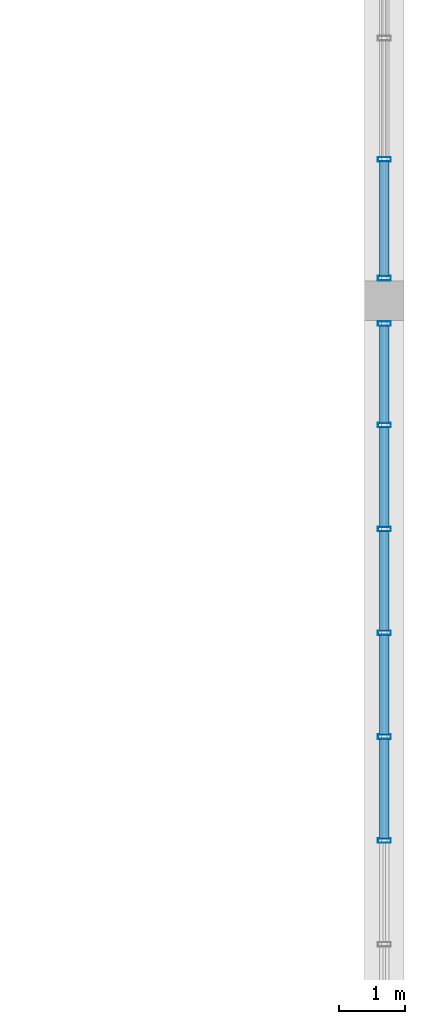
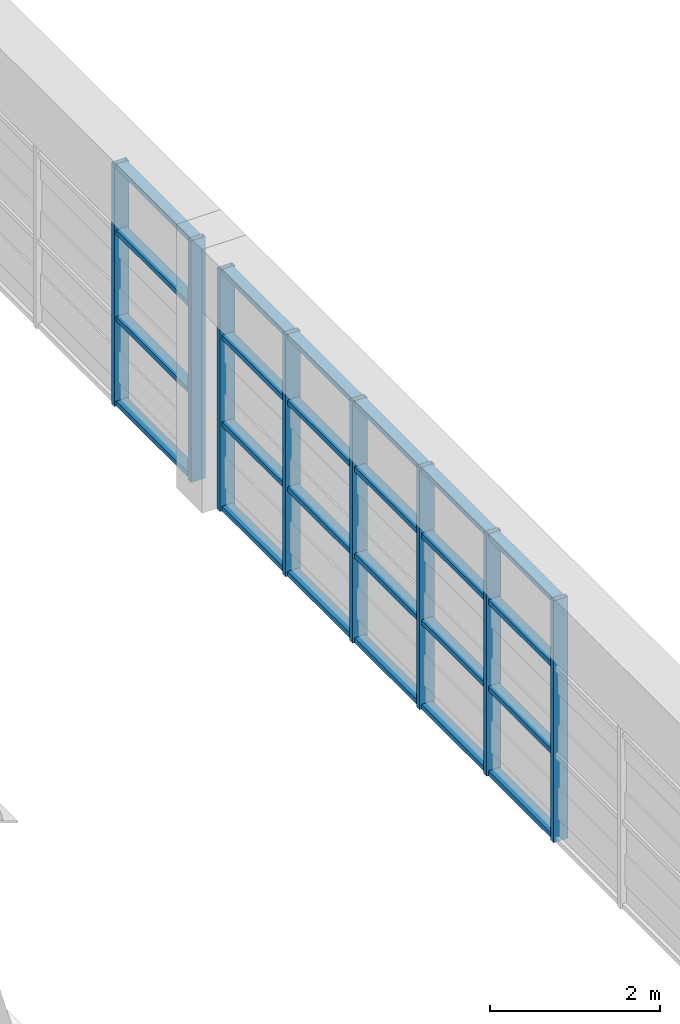
# One storey, part 16 of 27: 32 members, 2 elements without a shape of their own.
"""IFC4 building model written with IfcOpenShell, lengths in metres."""

import ifcopenshell
import ifcopenshell.guid

model = None  # the IFC model being written
_history = None  # IfcOwnerHistory: only IFC2X3 demands one
_inside = {}  # id of a spatial element -> (the spatial element, [elements in it])
_under = {}  # id of a project, library or spatial element -> (it, [spatial elements below it])
_declared = {}  # id of a project -> (the project, [libraries it declares])
_typed = {}  # id of a type object -> (the type object, [elements of that type])
_made_of = {}  # id of a material, layer set ... -> (it, [elements and type objects made of it])


def new_model(schema):
    """Start an empty IFC model of exactly this schema.

    Asked for "IFC4X3", IfcOpenShell would pick the latest addendum, in which some entities
    have other attributes; the version numbers below select the first issue.
    IFC2X3 requires an IfcOwnerHistory on every rooted entity: one is made here for all.
    """
    global model, _history
    if schema == "IFC4X3":
        model = ifcopenshell.file(schema_version=(4, 3, 0, 0))
    else:
        model = ifcopenshell.file(schema=schema)
    _inside.clear()
    _under.clear()
    _declared.clear()
    _typed.clear()
    _made_of.clear()
    _history = None
    if model.schema == "IFC2X3":
        org = make("IfcOrganization", Name="unknown")
        user = make(
            "IfcPersonAndOrganization",
            ThePerson=make("IfcPerson", FamilyName="unknown"),
            TheOrganization=org,
        )
        app = make(
            "IfcApplication",
            ApplicationDeveloper=org,
            Version="unknown",
            ApplicationFullName="unknown",
            ApplicationIdentifier="unknown",
        )
        _history = make(
            "IfcOwnerHistory",
            OwningUser=user,
            OwningApplication=app,
            ChangeAction="ADDED",
            CreationDate=0,
        )
    return model


def make(cls, **values):
    """One entity of the class cls with the attributes given. An attribute that is None is left unset."""
    return model.create_entity(
        cls, **{name: value for name, value in values.items() if value is not None}
    )


def rooted(cls, **values):
    """An entity with a GlobalId (a new one), such as an element, a storey or a relation."""
    return make(cls, GlobalId=ifcopenshell.guid.new(), OwnerHistory=_history, **values)


def si_unit(unit_type, name, prefix=None):
    """IfcSIUnit, for example si_unit("LENGTHUNIT", "METRE", prefix="MILLI")."""
    return make("IfcSIUnit", UnitType=unit_type, Prefix=prefix, Name=name)


def assignment(units):
    """IfcUnitAssignment: the units of a project."""
    return None if units is None else make("IfcUnitAssignment", Units=units)


def point(xyz):
    """IfcCartesianPoint."""
    return None if xyz is None else make("IfcCartesianPoint", Coordinates=xyz)


def direction(xyz):
    """IfcDirection."""
    return None if xyz is None else make("IfcDirection", DirectionRatios=xyz)


def frame(location, z_axis=None, x_axis=None):
    """IfcAxis2Placement3D, a coordinate frame: its origin and axes. An axis left out is left unset."""
    return make(
        "IfcAxis2Placement3D",
        Location=point(location),
        Axis=direction(z_axis),
        RefDirection=direction(x_axis),
    )


def frame_2d(location, x_axis=None):
    """IfcAxis2Placement2D, a coordinate frame in the plane: its origin and x axis."""
    return make(
        "IfcAxis2Placement2D", Location=point(location), RefDirection=direction(x_axis)
    )


def origin():
    """The frame at (0, 0, 0) with its axes left unset."""
    return frame((0.0, 0.0, 0.0))


def origin_2d():
    """The frame at (0, 0) in the plane with its x axis left unset."""
    return frame_2d((0.0, 0.0))


def place(relative_to, where):
    """IfcLocalPlacement: puts the frame where relative to a parent placement (None: the world)."""
    return make(
        "IfcLocalPlacement", PlacementRelTo=relative_to, RelativePlacement=where
    )


def context(
    kind, dimensions, precision=None, world=None, true_north=None, identifier=None
):
    """IfcGeometricRepresentationContext, for example the 3D "Model" context."""
    return make(
        "IfcGeometricRepresentationContext",
        ContextIdentifier=identifier,
        ContextType=kind,
        CoordinateSpaceDimension=dimensions,
        Precision=precision,
        WorldCoordinateSystem=world,
        TrueNorth=true_north,
    )


def subcontext(parent, identifier, kind, view, scale=None):
    """IfcGeometricRepresentationSubContext, for example "Body" below "Model"."""
    return make(
        "IfcGeometricRepresentationSubContext",
        ContextIdentifier=identifier,
        ContextType=kind,
        ParentContext=parent,
        TargetScale=scale,
        TargetView=view,
    )


def project(units=None, contexts=None):
    """IfcProject with its units and contexts."""
    return rooted(
        "IfcProject",
        Name="project",
        RepresentationContexts=contexts,
        UnitsInContext=assignment(units),
    )


def spatial(cls, under=None, at=None, **own):
    """A site, building, storey or space (cls), placed at a placement, below another one or the project."""
    s = rooted(cls, ObjectPlacement=at, **own)
    if under is not None:
        _under.setdefault(under.id(), (under, []))[1].append(s)
    return s


def profile(cls, at=None, kind="AREA", **sizes):
    """A parametric profile (cls). Its sizes go by their IFC names, for example OverallWidth=200.0."""
    return make(cls, ProfileType=kind, Position=at, **sizes)


def hollow_rectangle(**sizes):
    """IfcRectangleHollowProfileDef."""
    return profile("IfcRectangleHollowProfileDef", **sizes)


def extrude(swept, where, along, depth):
    """IfcExtrudedAreaSolid: the profile swept, set in the frame where, extruded along a direction by depth."""
    return make(
        "IfcExtrudedAreaSolid",
        SweptArea=swept,
        Position=where,
        ExtrudedDirection=direction(along),
        Depth=depth,
    )


def shape(context_of_items, identifier, shape_type, items):
    """IfcShapeRepresentation: the items that make up one representation, for example the "Body"."""
    return make(
        "IfcShapeRepresentation",
        ContextOfItems=context_of_items,
        RepresentationIdentifier=identifier,
        RepresentationType=shape_type,
        Items=items,
    )


def source(mapping_origin, context_of_items, identifier, shape_type, items):
    """IfcRepresentationMap: a shape defined once, which mapped items show again and again."""
    return make(
        "IfcRepresentationMap",
        MappingOrigin=mapping_origin,
        MappedRepresentation=shape(context_of_items, identifier, shape_type, items),
    )


def transform(
    local_origin,
    x_axis=None,
    y_axis=None,
    z_axis=None,
    scale=None,
    scale2=None,
    scale3=None,
    uniform=True,
):
    """IfcCartesianTransformationOperator3D, or its non-uniform kind. x_axis, y_axis, z_axis: its Axis1, 2, 3."""
    if uniform:
        return make(
            "IfcCartesianTransformationOperator3D",
            Axis1=direction(x_axis),
            Axis2=direction(y_axis),
            LocalOrigin=point(local_origin),
            Scale=scale,
            Axis3=direction(z_axis),
        )
    return make(
        "IfcCartesianTransformationOperator3DnonUniform",
        Axis1=direction(x_axis),
        Axis2=direction(y_axis),
        LocalOrigin=point(local_origin),
        Scale=scale,
        Axis3=direction(z_axis),
        Scale2=scale2,
        Scale3=scale3,
    )


def mapped(mapping_source, mapping_target):
    """IfcMappedItem: shows the shape of a source again, moved by a transform."""
    return make(
        "IfcMappedItem", MappingSource=mapping_source, MappingTarget=mapping_target
    )


def material(Name=None, Category=None):
    """IfcMaterial."""
    return make("IfcMaterial", Name=Name, Category=Category)


def layer(
    of_material, thickness, ventilated=None, Name=None, Category=None, Priority=None
):
    """IfcMaterialLayer: one layer of a wall or slab, of a material (None: an air gap)."""
    return make(
        "IfcMaterialLayer",
        Material=of_material,
        LayerThickness=thickness,
        IsVentilated=ventilated,
        Name=Name,
        Category=Category,
        Priority=Priority,
    )


def layer_set(layers, Name=None):
    """IfcMaterialLayerSet."""
    return make("IfcMaterialLayerSet", MaterialLayers=layers, LayerSetName=Name)


def material_profile(
    of_material, cross_section, Name=None, Category=None, Priority=None
):
    """IfcMaterialProfile: a cross section and its material."""
    return make(
        "IfcMaterialProfile",
        Name=Name,
        Material=of_material,
        Profile=cross_section,
        Priority=Priority,
        Category=Category,
    )


def profile_set(profiles, Name=None, composite=None):
    """IfcMaterialProfileSet."""
    return make(
        "IfcMaterialProfileSet",
        Name=Name,
        MaterialProfiles=profiles,
        CompositeProfile=composite,
    )


def made_of(thing, what):
    """Note that an element or type object is made of a material, layer set ...; save() writes the relation."""
    if what is not None:
        _made_of.setdefault(what.id(), (what, []))[1].append(thing)
    return thing


def type_object(cls, material=None, **own):
    """A type object (cls), such as IfcWallType, which elements share."""
    return made_of(rooted(cls, **own), material)


def element(
    cls,
    number,
    at=None,
    inside=None,
    cuts=None,
    type_object=None,
    material=None,
    context=None,
    identifier="Body",
    shape_type=None,
    held_by="IfcProductDefinitionShape",
    body=None,
    shapes=None,
    **own,
):
    """One element of the class cls, such as IfcWall. Its Tag is "e" and its number.

    at: its placement. inside: the storey or other place that contains it. cuts: it is an
    opening in that element (IfcRelVoidsElement). A single representation is given by context,
    identifier, shape_type and body (its items); several are given by shapes. held_by: the class
    of the entity that holds the representations. save() writes the other relations.
    """
    e = rooted(cls, Tag="e%d" % number, ObjectPlacement=at, **own)
    if body is not None:
        shapes = [shape(context, identifier, shape_type, body)]
    if shapes is not None:
        e.Representation = make(held_by, Representations=shapes)
    if inside is not None:
        _inside.setdefault(inside.id(), (inside, []))[1].append(e)
    if cuts is not None:
        rooted(
            "IfcRelVoidsElement", RelatingBuildingElement=cuts, RelatedOpeningElement=e
        )
    if type_object is not None:
        _typed.setdefault(type_object.id(), (type_object, []))[1].append(e)
    return made_of(e, material)


def aggregate(whole, parts):
    """IfcRelAggregates: a whole, such as a stair, and the parts it consists of."""
    return rooted("IfcRelAggregates", RelatingObject=whole, RelatedObjects=parts)


def save(model, path):
    """Write the relations noted so far, then the file.

    IfcRelAggregates (storeys below a building ...), IfcRelContainedInSpatialStructure (elements
    in a storey), IfcRelDefinesByType, IfcRelAssociatesMaterial and IfcRelDeclares: one each for
    every whole, place, type object, material and project.
    """
    for whole, parts in _under.values():
        aggregate(whole, parts)
    for where, things in _inside.values():
        rooted(
            "IfcRelContainedInSpatialStructure",
            RelatedElements=things,
            RelatingStructure=where,
        )
    for kind, things in _typed.values():
        rooted("IfcRelDefinesByType", RelatedObjects=things, RelatingType=kind)
    for what, things in _made_of.values():
        rooted("IfcRelAssociatesMaterial", RelatedObjects=things, RelatingMaterial=what)
    for by, libraries in _declared.values():
        rooted("IfcRelDeclares", RelatingContext=by, RelatedDefinitions=libraries)
    model.write(path)


model = new_model("IFC4")

# Units and contexts
model_context = context("Model", 3, precision=1e-05, world=origin(), true_north=direction((0.0, 1.0)))
body_context = subcontext(model_context, "Body", "Model", "MODEL_VIEW")
ifc_project = project(units=[si_unit("LENGTHUNIT", "METRE"), si_unit("AREAUNIT", "SQUARE_METRE"), si_unit("VOLUMEUNIT", "CUBIC_METRE"), si_unit("PLANEANGLEUNIT", "RADIAN"), si_unit("MASSUNIT", "GRAM", prefix="KILO")], contexts=[model_context])

# Site, building, storey
site_placement = place(None, origin())
site = spatial("IfcSite", under=ifc_project, at=site_placement, CompositionType="ELEMENT")
building_placement = place(site_placement, origin())
building = spatial("IfcBuilding", under=site, at=building_placement, Name="Saelheon Loggia Tower", CompositionType="ELEMENT")
storey_placement = place(building_placement, frame((0.0, 0.0, 256.0)))
storey = spatial("IfcBuildingStorey", under=building, at=storey_placement, Name="CR2", CompositionType="ELEMENT", Elevation=256.0)

# Curtain wall, members
ifc_material_1 = material(Name="Bronze-Anodised Aluminium and Fritted Ceramic Screen", Category="aluminium")
ifc_layer = layer(ifc_material_1, 0.219970703125)
ifc_layer_set = layer_set([ifc_layer], Name="Bronze-Anodised Aluminium and Fritted Ceramic Screen")
curtain_wall_type = type_object("IfcCurtainWallType", Name="CW_CrownScreen", PredefinedType="NOTDEFINED", material=ifc_layer_set)
curtain_wall_1_placement = place(storey_placement, origin())
curtain_wall_1 = element("IfcCurtainWall", 1, at=curtain_wall_1_placement, inside=storey, type_object=curtain_wall_type, Name="CR2 Crown Screen Curtain Wall 3-2", PredefinedType="NOTDEFINED")
ifc_material_2 = material(Name="Bronze-Anodised Aluminium 6063-T6", Category="aluminium")
ifc_material_profile_1 = material_profile(ifc_material_2, hollow_rectangle(XDim=0.070068359375, YDim=0.199951171875, WallThickness=0.0048828125, at=origin_2d()), Name="RHS-200x70x5")
ifc_profile_set_1 = profile_set([ifc_material_profile_1], Name="Bronze-Anodised Aluminium 6063-T6")
member_type_1 = type_object("IfcMemberType", Name="CW_CrownScreen_Mullion", PredefinedType="MULLION", material=ifc_profile_set_1)
shared_shape_1 = source(origin(), body_context, "Body", "SweptSolid", [
    extrude(hollow_rectangle(XDim=0.070068359375, YDim=0.199951171875, WallThickness=0.0048828125, at=origin_2d()), origin(), (0.0, 0.0, 1.0), 3.47998046875),
])
member_1_placement = place(storey_placement, frame((52.64990234375, 27.7900390625, 0.0), z_axis=(0.0, 0.0, 1.0), x_axis=(0.0, 1.0, 0.0)))
member_1 = element("IfcMember", 2, at=member_1_placement, type_object=member_type_1, Name="CW6 mullion 7", PredefinedType="MULLION", context=body_context, shape_type="MappedRepresentation", body=[
    mapped(shared_shape_1, transform((0.0, 0.0, 0.0), scale=1.0)),
])
member_2_placement = place(storey_placement, frame((52.64990234375, 29.3701171875, 0.0), z_axis=(0.0, 0.0, 1.0), x_axis=(0.0, 1.0, 0.0)))
member_2 = element("IfcMember", 3, at=member_2_placement, type_object=member_type_1, Name="CW6 mullion 8", PredefinedType="MULLION", context=body_context, shape_type="MappedRepresentation", body=[
    mapped(shared_shape_1, transform((0.0, 0.0, 0.0), scale=1.0)),
])
member_3_placement = place(storey_placement, frame((52.64990234375, 30.949951171875, 0.0), z_axis=(0.0, 0.0, 1.0), x_axis=(0.0, 1.0, 0.0)))
member_3 = element("IfcMember", 4, at=member_3_placement, type_object=member_type_1, Name="CW6 mullion 9", PredefinedType="MULLION", context=body_context, shape_type="MappedRepresentation", body=[
    mapped(shared_shape_1, transform((0.0, 0.0, 0.0), scale=1.0)),
])
member_4_placement = place(storey_placement, frame((52.64990234375, 32.530029296875, 0.0), z_axis=(0.0, 0.0, 1.0), x_axis=(0.0, 1.0, 0.0)))
member_4 = element("IfcMember", 5, at=member_4_placement, type_object=member_type_1, Name="CW6 mullion 10", PredefinedType="MULLION", context=body_context, shape_type="MappedRepresentation", body=[
    mapped(shared_shape_1, transform((0.0, 0.0, 0.0), scale=1.0)),
])
member_5_placement = place(storey_placement, frame((52.64990234375, 34.110107421875, 0.0), z_axis=(0.0, 0.0, 1.0), x_axis=(0.0, 1.0, 0.0)))
member_5 = element("IfcMember", 6, at=member_5_placement, type_object=member_type_1, Name="CW6 mullion 11", PredefinedType="MULLION", context=body_context, shape_type="MappedRepresentation", body=[
    mapped(shared_shape_1, transform((0.0, 0.0, 0.0), scale=1.0)),
])
member_6_placement = place(storey_placement, frame((52.64990234375, 35.655029296875, 0.0), z_axis=(0.0, 0.0, 1.0), x_axis=(0.0, 1.0, 0.0)))
member_6 = element("IfcMember", 7, at=member_6_placement, type_object=member_type_1, Name="CW6 mullion 12", PredefinedType="MULLION", context=body_context, shape_type="MappedRepresentation", body=[
    mapped(shared_shape_1, transform((0.0, 0.0, 0.0), scale=1.0)),
])

curtain_wall_2_placement = place(storey_placement, origin())
curtain_wall_2 = element("IfcCurtainWall", 8, at=curtain_wall_2_placement, inside=storey, type_object=curtain_wall_type, Name="CR2 Crown Screen Curtain Wall 3-3", PredefinedType="NOTDEFINED")
member_7_placement = place(storey_placement, frame((52.64990234375, 36.344970703125, 0.0), z_axis=(0.0, 0.0, 1.0), x_axis=(0.0, 1.0, 0.0)))
member_7 = element("IfcMember", 9, at=member_7_placement, type_object=member_type_1, Name="CW6 mullion 1", PredefinedType="MULLION", context=body_context, shape_type="MappedRepresentation", body=[
    mapped(shared_shape_1, transform((0.0, 0.0, 0.0), scale=1.0)),
])
member_8_placement = place(storey_placement, frame((52.64990234375, 38.1533203125, 0.0), z_axis=(0.0, 0.0, 1.0), x_axis=(0.0, 1.0, 0.0)))
member_8 = element("IfcMember", 10, at=member_8_placement, type_object=member_type_1, Name="CW6 mullion 2", PredefinedType="MULLION", context=body_context, shape_type="MappedRepresentation", body=[
    mapped(shared_shape_1, transform((0.0, 0.0, 0.0), scale=1.0)),
])
ifc_material_profile_2 = material_profile(ifc_material_2, hollow_rectangle(XDim=0.070068359375, YDim=0.14990234375, WallThickness=0.0048828125, at=origin_2d()), Name="RHS-150x70x5")
ifc_profile_set_2 = profile_set([ifc_material_profile_2], Name="Bronze-Anodised Aluminium 6063-T6")
member_type_2 = type_object("IfcMemberType", Name="CW_CrownScreen_Transom", PredefinedType="USERDEFINED", material=ifc_profile_set_2)
shared_shape_2 = source(origin(), body_context, "Body", "SweptSolid", [
    extrude(hollow_rectangle(XDim=0.070068359375, YDim=0.14990234375, WallThickness=0.0048828125, at=origin_2d()), origin(), (0.0, 0.0, 1.0), 1.738525390625),
])
member_9_placement = place(storey_placement, frame((52.64990234375, 36.3798828125, 0.034912109375), z_axis=(0.0, 1.0, 0.0), x_axis=(0.0, 0.0, 1.0)))
member_9 = element("IfcMember", 11, at=member_9_placement, type_object=member_type_2, Name="CW6 transom 1.1", ObjectType="TRANSOM", PredefinedType="USERDEFINED", context=body_context, shape_type="MappedRepresentation", body=[
    mapped(shared_shape_2, transform((0.0, 0.0, 0.0), scale=1.0)),
])
member_10_placement = place(storey_placement, frame((52.64990234375, 36.3798828125, 1.25), z_axis=(0.0, 1.0, 0.0), x_axis=(0.0, 0.0, 1.0)))
member_10 = element("IfcMember", 12, at=member_10_placement, type_object=member_type_2, Name="CW6 transom 1.2", ObjectType="TRANSOM", PredefinedType="USERDEFINED", context=body_context, shape_type="MappedRepresentation", body=[
    mapped(shared_shape_2, transform((0.0, 0.0, 0.0), scale=1.0)),
])
member_11_placement = place(storey_placement, frame((52.64990234375, 36.3798828125, 2.5), z_axis=(0.0, 1.0, 0.0), x_axis=(0.0, 0.0, 1.0)))
member_11 = element("IfcMember", 13, at=member_11_placement, type_object=member_type_2, Name="CW6 transom 1.3", ObjectType="TRANSOM", PredefinedType="USERDEFINED", context=body_context, shape_type="MappedRepresentation", body=[
    mapped(shared_shape_2, transform((0.0, 0.0, 0.0), scale=1.0)),
])
member_12_placement = place(storey_placement, frame((52.64990234375, 36.3798828125, 3.445068359375), z_axis=(0.0, 1.0, 0.0), x_axis=(0.0, 0.0, 1.0)))
member_12 = element("IfcMember", 14, at=member_12_placement, type_object=member_type_2, Name="CW6 transom 1.4", ObjectType="TRANSOM", PredefinedType="USERDEFINED", context=body_context, shape_type="MappedRepresentation", body=[
    mapped(shared_shape_2, transform((0.0, 0.0, 0.0), scale=1.0)),
])
aggregate(curtain_wall_2, [member_7, member_8, member_9, member_10, member_11, member_12])

# Member
shared_shape_3 = source(origin(), body_context, "Body", "SweptSolid", [
    extrude(hollow_rectangle(XDim=0.070068359375, YDim=0.14990234375, WallThickness=0.0048828125, at=origin_2d()), origin(), (0.0, 0.0, 1.0), 1.47509765625),
])
member_13_placement = place(storey_placement, frame((52.64990234375, 34.14501953125, 0.034912109375), z_axis=(0.0, 1.0, 0.0), x_axis=(0.0, 0.0, 1.0)))
member_13 = element("IfcMember", 15, at=member_13_placement, type_object=member_type_2, Name="CW6 transom 11.1", ObjectType="TRANSOM", PredefinedType="USERDEFINED", context=body_context, shape_type="MappedRepresentation", body=[
    mapped(shared_shape_3, transform((0.0, 0.0, 0.0), scale=1.0)),
])

member_14_placement = place(storey_placement, frame((52.64990234375, 34.14501953125, 1.25), z_axis=(0.0, 1.0, 0.0), x_axis=(0.0, 0.0, 1.0)))
member_14 = element("IfcMember", 16, at=member_14_placement, type_object=member_type_2, Name="CW6 transom 11.2", ObjectType="TRANSOM", PredefinedType="USERDEFINED", context=body_context, shape_type="MappedRepresentation", body=[
    mapped(shared_shape_3, transform((0.0, 0.0, 0.0), scale=1.0)),
])

member_15_placement = place(storey_placement, frame((52.64990234375, 34.14501953125, 2.5), z_axis=(0.0, 1.0, 0.0), x_axis=(0.0, 0.0, 1.0)))
member_15 = element("IfcMember", 17, at=member_15_placement, type_object=member_type_2, Name="CW6 transom 11.3", ObjectType="TRANSOM", PredefinedType="USERDEFINED", context=body_context, shape_type="MappedRepresentation", body=[
    mapped(shared_shape_3, transform((0.0, 0.0, 0.0), scale=1.0)),
])

member_16_placement = place(storey_placement, frame((52.64990234375, 34.14501953125, 3.445068359375), z_axis=(0.0, 1.0, 0.0), x_axis=(0.0, 0.0, 1.0)))
member_16 = element("IfcMember", 18, at=member_16_placement, type_object=member_type_2, Name="CW6 transom 11.4", ObjectType="TRANSOM", PredefinedType="USERDEFINED", context=body_context, shape_type="MappedRepresentation", body=[
    mapped(shared_shape_3, transform((0.0, 0.0, 0.0), scale=1.0)),
])

shared_shape_4 = source(origin(), body_context, "Body", "SweptSolid", [
    extrude(hollow_rectangle(XDim=0.070068359375, YDim=0.14990234375, WallThickness=0.0048828125, at=origin_2d()), origin(), (0.0, 0.0, 1.0), 1.510009765625),
])
member_17_placement = place(storey_placement, frame((52.64990234375, 27.824951171875, 0.034912109375), z_axis=(0.0, 1.0, 0.0), x_axis=(0.0, 0.0, 1.0)))
member_17 = element("IfcMember", 19, at=member_17_placement, type_object=member_type_2, Name="CW6 transom 7.1", ObjectType="TRANSOM", PredefinedType="USERDEFINED", context=body_context, shape_type="MappedRepresentation", body=[
    mapped(shared_shape_4, transform((0.0, 0.0, 0.0), scale=1.0)),
])

member_18_placement = place(storey_placement, frame((52.64990234375, 27.824951171875, 1.25), z_axis=(0.0, 1.0, 0.0), x_axis=(0.0, 0.0, 1.0)))
member_18 = element("IfcMember", 20, at=member_18_placement, type_object=member_type_2, Name="CW6 transom 7.2", ObjectType="TRANSOM", PredefinedType="USERDEFINED", context=body_context, shape_type="MappedRepresentation", body=[
    mapped(shared_shape_4, transform((0.0, 0.0, 0.0), scale=1.0)),
])

member_19_placement = place(storey_placement, frame((52.64990234375, 27.824951171875, 2.5), z_axis=(0.0, 1.0, 0.0), x_axis=(0.0, 0.0, 1.0)))
member_19 = element("IfcMember", 21, at=member_19_placement, type_object=member_type_2, Name="CW6 transom 7.3", ObjectType="TRANSOM", PredefinedType="USERDEFINED", context=body_context, shape_type="MappedRepresentation", body=[
    mapped(shared_shape_4, transform((0.0, 0.0, 0.0), scale=1.0)),
])

member_20_placement = place(storey_placement, frame((52.64990234375, 27.824951171875, 3.445068359375), z_axis=(0.0, 1.0, 0.0), x_axis=(0.0, 0.0, 1.0)))
member_20 = element("IfcMember", 22, at=member_20_placement, type_object=member_type_2, Name="CW6 transom 7.4", ObjectType="TRANSOM", PredefinedType="USERDEFINED", context=body_context, shape_type="MappedRepresentation", body=[
    mapped(shared_shape_4, transform((0.0, 0.0, 0.0), scale=1.0)),
])

member_21_placement = place(storey_placement, frame((52.64990234375, 29.405029296875, 0.034912109375), z_axis=(0.0, 1.0, 0.0), x_axis=(0.0, 0.0, 1.0)))
member_21 = element("IfcMember", 23, at=member_21_placement, type_object=member_type_2, Name="CW6 transom 8.1", ObjectType="TRANSOM", PredefinedType="USERDEFINED", context=body_context, shape_type="MappedRepresentation", body=[
    mapped(shared_shape_4, transform((0.0, 0.0, 0.0), scale=1.0)),
])

member_22_placement = place(storey_placement, frame((52.64990234375, 29.405029296875, 1.25), z_axis=(0.0, 1.0, 0.0), x_axis=(0.0, 0.0, 1.0)))
member_22 = element("IfcMember", 24, at=member_22_placement, type_object=member_type_2, Name="CW6 transom 8.2", ObjectType="TRANSOM", PredefinedType="USERDEFINED", context=body_context, shape_type="MappedRepresentation", body=[
    mapped(shared_shape_4, transform((0.0, 0.0, 0.0), scale=1.0)),
])

member_23_placement = place(storey_placement, frame((52.64990234375, 29.405029296875, 2.5), z_axis=(0.0, 1.0, 0.0), x_axis=(0.0, 0.0, 1.0)))
member_23 = element("IfcMember", 25, at=member_23_placement, type_object=member_type_2, Name="CW6 transom 8.3", ObjectType="TRANSOM", PredefinedType="USERDEFINED", context=body_context, shape_type="MappedRepresentation", body=[
    mapped(shared_shape_4, transform((0.0, 0.0, 0.0), scale=1.0)),
])

member_24_placement = place(storey_placement, frame((52.64990234375, 29.405029296875, 3.445068359375), z_axis=(0.0, 1.0, 0.0), x_axis=(0.0, 0.0, 1.0)))
member_24 = element("IfcMember", 26, at=member_24_placement, type_object=member_type_2, Name="CW6 transom 8.4", ObjectType="TRANSOM", PredefinedType="USERDEFINED", context=body_context, shape_type="MappedRepresentation", body=[
    mapped(shared_shape_4, transform((0.0, 0.0, 0.0), scale=1.0)),
])

member_25_placement = place(storey_placement, frame((52.64990234375, 30.985107421875, 0.034912109375), z_axis=(0.0, 1.0, 0.0), x_axis=(0.0, 0.0, 1.0)))
member_25 = element("IfcMember", 27, at=member_25_placement, type_object=member_type_2, Name="CW6 transom 9.1", ObjectType="TRANSOM", PredefinedType="USERDEFINED", context=body_context, shape_type="MappedRepresentation", body=[
    mapped(shared_shape_4, transform((0.0, 0.0, 0.0), scale=1.0)),
])

member_26_placement = place(storey_placement, frame((52.64990234375, 30.985107421875, 1.25), z_axis=(0.0, 1.0, 0.0), x_axis=(0.0, 0.0, 1.0)))
member_26 = element("IfcMember", 28, at=member_26_placement, type_object=member_type_2, Name="CW6 transom 9.2", ObjectType="TRANSOM", PredefinedType="USERDEFINED", context=body_context, shape_type="MappedRepresentation", body=[
    mapped(shared_shape_4, transform((0.0, 0.0, 0.0), scale=1.0)),
])

member_27_placement = place(storey_placement, frame((52.64990234375, 30.985107421875, 2.5), z_axis=(0.0, 1.0, 0.0), x_axis=(0.0, 0.0, 1.0)))
member_27 = element("IfcMember", 29, at=member_27_placement, type_object=member_type_2, Name="CW6 transom 9.3", ObjectType="TRANSOM", PredefinedType="USERDEFINED", context=body_context, shape_type="MappedRepresentation", body=[
    mapped(shared_shape_4, transform((0.0, 0.0, 0.0), scale=1.0)),
])

member_28_placement = place(storey_placement, frame((52.64990234375, 30.985107421875, 3.445068359375), z_axis=(0.0, 1.0, 0.0), x_axis=(0.0, 0.0, 1.0)))
member_28 = element("IfcMember", 30, at=member_28_placement, type_object=member_type_2, Name="CW6 transom 9.4", ObjectType="TRANSOM", PredefinedType="USERDEFINED", context=body_context, shape_type="MappedRepresentation", body=[
    mapped(shared_shape_4, transform((0.0, 0.0, 0.0), scale=1.0)),
])

member_29_placement = place(storey_placement, frame((52.64990234375, 32.56494140625, 0.034912109375), z_axis=(0.0, 1.0, 0.0), x_axis=(0.0, 0.0, 1.0)))
member_29 = element("IfcMember", 31, at=member_29_placement, type_object=member_type_2, Name="CW6 transom 10.1", ObjectType="TRANSOM", PredefinedType="USERDEFINED", context=body_context, shape_type="MappedRepresentation", body=[
    mapped(shared_shape_4, transform((0.0, 0.0, 0.0), scale=1.0)),
])

member_30_placement = place(storey_placement, frame((52.64990234375, 32.56494140625, 1.25), z_axis=(0.0, 1.0, 0.0), x_axis=(0.0, 0.0, 1.0)))
member_30 = element("IfcMember", 32, at=member_30_placement, type_object=member_type_2, Name="CW6 transom 10.2", ObjectType="TRANSOM", PredefinedType="USERDEFINED", context=body_context, shape_type="MappedRepresentation", body=[
    mapped(shared_shape_4, transform((0.0, 0.0, 0.0), scale=1.0)),
])

member_31_placement = place(storey_placement, frame((52.64990234375, 32.56494140625, 2.5), z_axis=(0.0, 1.0, 0.0), x_axis=(0.0, 0.0, 1.0)))
member_31 = element("IfcMember", 33, at=member_31_placement, type_object=member_type_2, Name="CW6 transom 10.3", ObjectType="TRANSOM", PredefinedType="USERDEFINED", context=body_context, shape_type="MappedRepresentation", body=[
    mapped(shared_shape_4, transform((0.0, 0.0, 0.0), scale=1.0)),
])

member_32_placement = place(storey_placement, frame((52.64990234375, 32.56494140625, 3.445068359375), z_axis=(0.0, 1.0, 0.0), x_axis=(0.0, 0.0, 1.0)))
member_32 = element("IfcMember", 34, at=member_32_placement, type_object=member_type_2, Name="CW6 transom 10.4", ObjectType="TRANSOM", PredefinedType="USERDEFINED", context=body_context, shape_type="MappedRepresentation", body=[
    mapped(shared_shape_4, transform((0.0, 0.0, 0.0), scale=1.0)),
])

aggregate(curtain_wall_1, [member_1, member_2, member_3, member_4, member_5, member_6, member_17, member_18, member_19, member_20, member_21, member_22, member_23, member_24, member_25, member_26, member_27, member_28, member_29, member_30, member_31, member_32, member_13, member_14, member_15, member_16])

save(model, "model.ifc")
